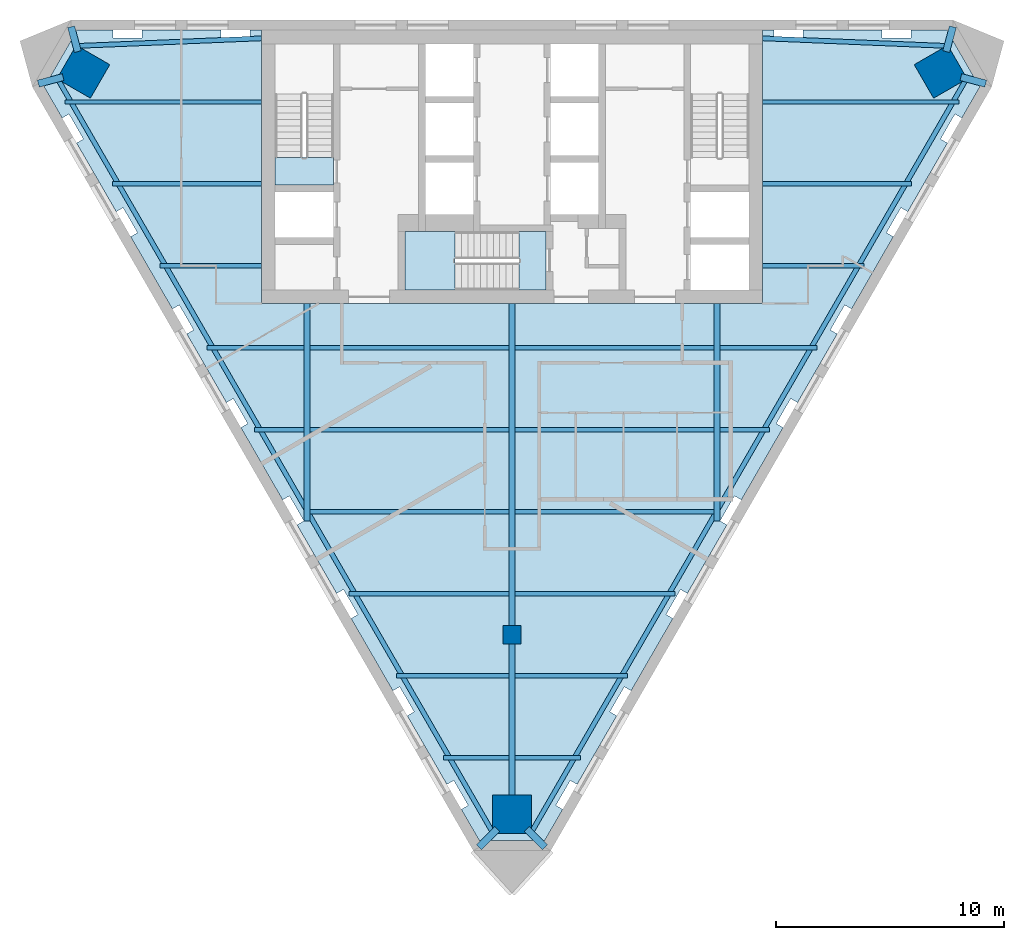
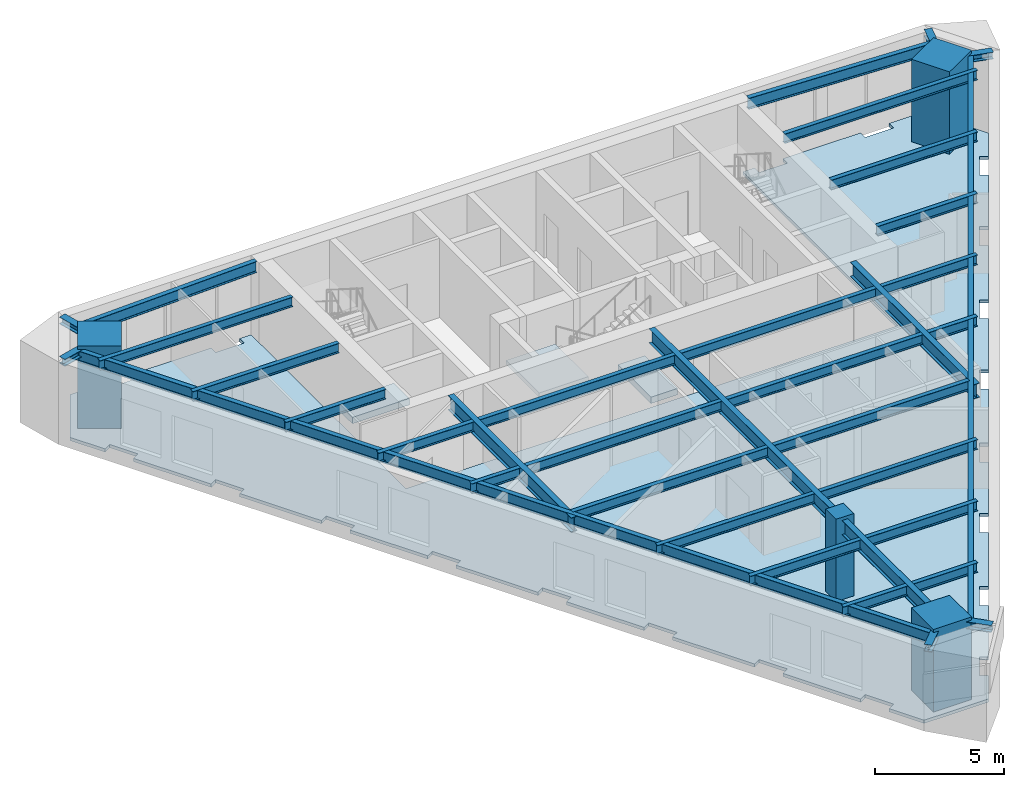
# One storey, part 1 of 7: 36 beams, 4 columns, 4 slabs, 1 element without a shape of its own.
"""IFC4 building model written with IfcOpenShell, lengths in metres."""

import ifcopenshell
import ifcopenshell.guid

model = None  # the IFC model being written
_history = None  # IfcOwnerHistory: only IFC2X3 demands one
_inside = {}  # id of a spatial element -> (the spatial element, [elements in it])
_under = {}  # id of a project, library or spatial element -> (it, [spatial elements below it])
_declared = {}  # id of a project -> (the project, [libraries it declares])
_typed = {}  # id of a type object -> (the type object, [elements of that type])
_made_of = {}  # id of a material, layer set ... -> (it, [elements and type objects made of it])


def new_model(schema):
    """Start an empty IFC model of exactly this schema.

    Asked for "IFC4X3", IfcOpenShell would pick the latest addendum, in which some entities
    have other attributes; the version numbers below select the first issue.
    IFC2X3 requires an IfcOwnerHistory on every rooted entity: one is made here for all.
    """
    global model, _history
    if schema == "IFC4X3":
        model = ifcopenshell.file(schema_version=(4, 3, 0, 0))
    else:
        model = ifcopenshell.file(schema=schema)
    _inside.clear()
    _under.clear()
    _declared.clear()
    _typed.clear()
    _made_of.clear()
    _history = None
    if model.schema == "IFC2X3":
        org = make("IfcOrganization", Name="unknown")
        user = make(
            "IfcPersonAndOrganization",
            ThePerson=make("IfcPerson", FamilyName="unknown"),
            TheOrganization=org,
        )
        app = make(
            "IfcApplication",
            ApplicationDeveloper=org,
            Version="unknown",
            ApplicationFullName="unknown",
            ApplicationIdentifier="unknown",
        )
        _history = make(
            "IfcOwnerHistory",
            OwningUser=user,
            OwningApplication=app,
            ChangeAction="ADDED",
            CreationDate=0,
        )
    return model


def make(cls, **values):
    """One entity of the class cls with the attributes given. An attribute that is None is left unset."""
    return model.create_entity(
        cls, **{name: value for name, value in values.items() if value is not None}
    )


def rooted(cls, **values):
    """An entity with a GlobalId (a new one), such as an element, a storey or a relation."""
    return make(cls, GlobalId=ifcopenshell.guid.new(), OwnerHistory=_history, **values)


def si_unit(unit_type, name, prefix=None):
    """IfcSIUnit, for example si_unit("LENGTHUNIT", "METRE", prefix="MILLI")."""
    return make("IfcSIUnit", UnitType=unit_type, Prefix=prefix, Name=name)


def assignment(units):
    """IfcUnitAssignment: the units of a project."""
    return None if units is None else make("IfcUnitAssignment", Units=units)


def point(xyz):
    """IfcCartesianPoint."""
    return None if xyz is None else make("IfcCartesianPoint", Coordinates=xyz)


def direction(xyz):
    """IfcDirection."""
    return None if xyz is None else make("IfcDirection", DirectionRatios=xyz)


def frame(location, z_axis=None, x_axis=None):
    """IfcAxis2Placement3D, a coordinate frame: its origin and axes. An axis left out is left unset."""
    return make(
        "IfcAxis2Placement3D",
        Location=point(location),
        Axis=direction(z_axis),
        RefDirection=direction(x_axis),
    )


def frame_2d(location, x_axis=None):
    """IfcAxis2Placement2D, a coordinate frame in the plane: its origin and x axis."""
    return make(
        "IfcAxis2Placement2D", Location=point(location), RefDirection=direction(x_axis)
    )


def origin():
    """The frame at (0, 0, 0) with its axes left unset."""
    return frame((0.0, 0.0, 0.0))


def origin_2d():
    """The frame at (0, 0) in the plane with its x axis left unset."""
    return frame_2d((0.0, 0.0))


def place(relative_to, where):
    """IfcLocalPlacement: puts the frame where relative to a parent placement (None: the world)."""
    return make(
        "IfcLocalPlacement", PlacementRelTo=relative_to, RelativePlacement=where
    )


def context(
    kind, dimensions, precision=None, world=None, true_north=None, identifier=None
):
    """IfcGeometricRepresentationContext, for example the 3D "Model" context."""
    return make(
        "IfcGeometricRepresentationContext",
        ContextIdentifier=identifier,
        ContextType=kind,
        CoordinateSpaceDimension=dimensions,
        Precision=precision,
        WorldCoordinateSystem=world,
        TrueNorth=true_north,
    )


def subcontext(parent, identifier, kind, view, scale=None):
    """IfcGeometricRepresentationSubContext, for example "Body" below "Model"."""
    return make(
        "IfcGeometricRepresentationSubContext",
        ContextIdentifier=identifier,
        ContextType=kind,
        ParentContext=parent,
        TargetScale=scale,
        TargetView=view,
    )


def project(units=None, contexts=None):
    """IfcProject with its units and contexts."""
    return rooted(
        "IfcProject",
        Name="project",
        RepresentationContexts=contexts,
        UnitsInContext=assignment(units),
    )


def spatial(cls, under=None, at=None, **own):
    """A site, building, storey or space (cls), placed at a placement, below another one or the project."""
    s = rooted(cls, ObjectPlacement=at, **own)
    if under is not None:
        _under.setdefault(under.id(), (under, []))[1].append(s)
    return s


def polyline(points):
    """IfcPolyline through the points."""
    return make("IfcPolyline", Points=[point(p) for p in points])


def profile(cls, at=None, kind="AREA", **sizes):
    """A parametric profile (cls). Its sizes go by their IFC names, for example OverallWidth=200.0."""
    return make(cls, ProfileType=kind, Position=at, **sizes)


def rectangle(**sizes):
    """IfcRectangleProfileDef."""
    return profile("IfcRectangleProfileDef", **sizes)


def i_section(**sizes):
    """IfcIShapeProfileDef."""
    return profile("IfcIShapeProfileDef", **sizes)


def outline(outer, holes=None, kind="AREA"):
    """IfcArbitraryClosedProfileDef: a profile drawn as a closed curve; with holes, ...WithVoids."""
    if holes is None:
        return make("IfcArbitraryClosedProfileDef", ProfileType=kind, OuterCurve=outer)
    return make(
        "IfcArbitraryProfileDefWithVoids",
        ProfileType=kind,
        OuterCurve=outer,
        InnerCurves=holes,
    )


def extrude(swept, where, along, depth):
    """IfcExtrudedAreaSolid: the profile swept, set in the frame where, extruded along a direction by depth."""
    return make(
        "IfcExtrudedAreaSolid",
        SweptArea=swept,
        Position=where,
        ExtrudedDirection=direction(along),
        Depth=depth,
    )


def shape(context_of_items, identifier, shape_type, items):
    """IfcShapeRepresentation: the items that make up one representation, for example the "Body"."""
    return make(
        "IfcShapeRepresentation",
        ContextOfItems=context_of_items,
        RepresentationIdentifier=identifier,
        RepresentationType=shape_type,
        Items=items,
    )


def material(Name=None, Category=None):
    """IfcMaterial."""
    return make("IfcMaterial", Name=Name, Category=Category)


def layer(
    of_material, thickness, ventilated=None, Name=None, Category=None, Priority=None
):
    """IfcMaterialLayer: one layer of a wall or slab, of a material (None: an air gap)."""
    return make(
        "IfcMaterialLayer",
        Material=of_material,
        LayerThickness=thickness,
        IsVentilated=ventilated,
        Name=Name,
        Category=Category,
        Priority=Priority,
    )


def layer_set(layers, Name=None):
    """IfcMaterialLayerSet."""
    return make("IfcMaterialLayerSet", MaterialLayers=layers, LayerSetName=Name)


def material_profile(
    of_material, cross_section, Name=None, Category=None, Priority=None
):
    """IfcMaterialProfile: a cross section and its material."""
    return make(
        "IfcMaterialProfile",
        Name=Name,
        Material=of_material,
        Profile=cross_section,
        Priority=Priority,
        Category=Category,
    )


def profile_set(profiles, Name=None, composite=None):
    """IfcMaterialProfileSet."""
    return make(
        "IfcMaterialProfileSet",
        Name=Name,
        MaterialProfiles=profiles,
        CompositeProfile=composite,
    )


def made_of(thing, what):
    """Note that an element or type object is made of a material, layer set ...; save() writes the relation."""
    if what is not None:
        _made_of.setdefault(what.id(), (what, []))[1].append(thing)
    return thing


def type_object(cls, material=None, **own):
    """A type object (cls), such as IfcWallType, which elements share."""
    return made_of(rooted(cls, **own), material)


def element(
    cls,
    number,
    at=None,
    inside=None,
    cuts=None,
    type_object=None,
    material=None,
    context=None,
    identifier="Body",
    shape_type=None,
    held_by="IfcProductDefinitionShape",
    body=None,
    shapes=None,
    **own,
):
    """One element of the class cls, such as IfcWall. Its Tag is "e" and its number.

    at: its placement. inside: the storey or other place that contains it. cuts: it is an
    opening in that element (IfcRelVoidsElement). A single representation is given by context,
    identifier, shape_type and body (its items); several are given by shapes. held_by: the class
    of the entity that holds the representations. save() writes the other relations.
    """
    e = rooted(cls, Tag="e%d" % number, ObjectPlacement=at, **own)
    if body is not None:
        shapes = [shape(context, identifier, shape_type, body)]
    if shapes is not None:
        e.Representation = make(held_by, Representations=shapes)
    if inside is not None:
        _inside.setdefault(inside.id(), (inside, []))[1].append(e)
    if cuts is not None:
        rooted(
            "IfcRelVoidsElement", RelatingBuildingElement=cuts, RelatedOpeningElement=e
        )
    if type_object is not None:
        _typed.setdefault(type_object.id(), (type_object, []))[1].append(e)
    return made_of(e, material)


def aggregate(whole, parts):
    """IfcRelAggregates: a whole, such as a stair, and the parts it consists of."""
    return rooted("IfcRelAggregates", RelatingObject=whole, RelatedObjects=parts)


def save(model, path):
    """Write the relations noted so far, then the file.

    IfcRelAggregates (storeys below a building ...), IfcRelContainedInSpatialStructure (elements
    in a storey), IfcRelDefinesByType, IfcRelAssociatesMaterial and IfcRelDeclares: one each for
    every whole, place, type object, material and project.
    """
    for whole, parts in _under.values():
        aggregate(whole, parts)
    for where, things in _inside.values():
        rooted(
            "IfcRelContainedInSpatialStructure",
            RelatedElements=things,
            RelatingStructure=where,
        )
    for kind, things in _typed.values():
        rooted("IfcRelDefinesByType", RelatedObjects=things, RelatingType=kind)
    for what, things in _made_of.values():
        rooted("IfcRelAssociatesMaterial", RelatedObjects=things, RelatingMaterial=what)
    for by, libraries in _declared.values():
        rooted("IfcRelDeclares", RelatingContext=by, RelatedDefinitions=libraries)
    model.write(path)


model = new_model("IFC4")

# Units and contexts
model_context = context("Model", 3, precision=1e-05, world=origin(), true_north=direction((0.0, 1.0)))
body_context = subcontext(model_context, "Body", "Model", "MODEL_VIEW")
ifc_project = project(units=[si_unit("LENGTHUNIT", "METRE"), si_unit("AREAUNIT", "SQUARE_METRE"), si_unit("VOLUMEUNIT", "CUBIC_METRE"), si_unit("PLANEANGLEUNIT", "RADIAN"), si_unit("MASSUNIT", "GRAM", prefix="KILO")], contexts=[model_context])

# Site, building, storey
site_placement = place(None, origin())
site = spatial("IfcSite", under=ifc_project, at=site_placement, CompositionType="ELEMENT")
building_placement = place(site_placement, origin())
building = spatial("IfcBuilding", under=site, at=building_placement, Name="Aloe Facet Convention Tower", CompositionType="ELEMENT")
storey_placement = place(building_placement, frame((0.0, 0.0, 207.5)))
storey = spatial("IfcBuildingStorey", under=building, at=storey_placement, Name="L52", CompositionType="ELEMENT", Elevation=207.5)

# Columns
ifc_material_1 = material(Name="Concrete C70/85", Category="concrete")
ifc_material_profile_1 = material_profile(ifc_material_1, rectangle(XDim=0.800048828125, YDim=0.800048828125, at=origin_2d()), Name="SF-GC-Z4")
ifc_profile_set_1 = profile_set([ifc_material_profile_1], Name="Concrete C70/85")
column_type_1 = type_object("IfcColumnType", Name="SF-GC-Z4", PredefinedType="COLUMN", material=ifc_profile_set_1)
column_placement = place(storey_placement, frame((80.0, 108.0, 0.0), z_axis=(0.0, 0.0, 1.0), x_axis=(1.0, 0.0, 0.0)))
element("IfcColumn", 1, at=column_placement, inside=storey, type_object=column_type_1, Name="Gravity column GC-Z4-9D", PredefinedType="COLUMN", context=body_context, shape_type="SweptSolid", body=[
    extrude(rectangle(XDim=0.800048828125, YDim=0.800048828125, at=origin_2d()), origin(), (0.0, 0.0, 1.0), 3.89990234375),
])
ifc_material_2 = material(Name="Concrete C80/95", Category="concrete")
ifc_material_profile_2 = material_profile(ifc_material_2, rectangle(XDim=1.699951171875, YDim=1.699951171875, at=origin_2d()), Name="STW-MC-Z4")
ifc_profile_set_2 = profile_set([ifc_material_profile_2], Name="Concrete C80/95")
column_type_2 = type_object("IfcColumnType", Name="STW-MC-Z4", PredefinedType="COLUMN", material=ifc_profile_set_2)
for number, where, z_axis, x_axis, name in (
    (2, (98.828857421875, 132.727783203125, 0.0), (0.0, 0.0, 1.0), (-0.5, 0.866025403784, 0.0), "Mega-column MC-NE-L52"),
    (3, (61.171142578125, 132.727783203125, 0.0), (0.0, 0.0, 1.0), (-0.5, -0.866025403784, 0.0), "Mega-column MC-NW-L52"),
    (4, (80.0, 100.114990234375, 0.0), (0.0, 0.0, 1.0), (1.0, 0.0, 0.0), "Mega-column MC-S-L52"),
):
    element("IfcColumn", number, at=place(storey_placement, frame(where, z_axis=z_axis, x_axis=x_axis)), inside=storey, type_object=column_type_2, Name=name, PredefinedType="COLUMN", context=body_context, shape_type="SweptSolid", body=[
        extrude(rectangle(XDim=1.699951171875, YDim=1.699951171875, at=origin_2d()), origin(), (0.0, 0.0, 1.0), 3.89990234375),
    ])

# Beams
ifc_material_3 = material(Name="Steel S355", Category="steel")
ifc_material_profile_3 = material_profile(ifc_material_3, i_section(OverallWidth=0.19140625, OverallDepth=0.4599609375, WebThickness=0.010009765625, FlangeThickness=0.01611328125, FilletRadius=0.01025390625, at=origin_2d()), Name="UB 457x191x82")
ifc_profile_set_3 = profile_set([ifc_material_profile_3], Name="Steel S355")
beam_type_1 = type_object("IfcBeamType", Name="SF-B-UB457x191x82", PredefinedType="BEAM", material=ifc_profile_set_3)
beam_1_placement = place(storey_placement, frame((60.373779296875, 131.39990234375, 3.52001953125), z_axis=(1.0, 0.0, 0.0), x_axis=(0.0, 1.0, 0.0)))
element("IfcBeam", 5, at=beam_1_placement, inside=storey, type_object=beam_type_1, Name="Floor beam FB-Z4B-009", PredefinedType="BEAM", context=body_context, shape_type="SweptSolid", body=[
    extrude(i_section(OverallWidth=0.19140625, OverallDepth=0.4599609375, WebThickness=0.010009765625, FlangeThickness=0.01611328125, FilletRadius=0.01025390625, at=origin_2d()), origin(), (0.0, 0.0, 1.0), 8.626220703125),
])
beam_2_placement = place(storey_placement, frame((62.452392578125, 127.800048828125, 3.52001953125), z_axis=(1.0, 0.0, 0.0), x_axis=(0.0, 1.0, 0.0)))
element("IfcBeam", 6, at=beam_2_placement, inside=storey, type_object=beam_type_1, Name="Floor beam FB-Z4B-010", PredefinedType="BEAM", context=body_context, shape_type="SweptSolid", body=[
    extrude(i_section(OverallWidth=0.19140625, OverallDepth=0.4599609375, WebThickness=0.010009765625, FlangeThickness=0.01611328125, FilletRadius=0.01025390625, at=origin_2d()), origin(), (0.0, 0.0, 1.0), 6.547607421875),
])
beam_3_placement = place(storey_placement, frame((64.53076171875, 124.199951171875, 3.52001953125), z_axis=(1.0, 0.0, 0.0), x_axis=(0.0, 1.0, 0.0)))
element("IfcBeam", 7, at=beam_3_placement, inside=storey, type_object=beam_type_1, Name="Floor beam FB-Z4B-011", PredefinedType="BEAM", context=body_context, shape_type="SweptSolid", body=[
    extrude(i_section(OverallWidth=0.19140625, OverallDepth=0.4599609375, WebThickness=0.010009765625, FlangeThickness=0.01611328125, FilletRadius=0.01025390625, at=origin_2d()), origin(), (0.0, 0.0, 1.0), 4.46923828125),
])
beam_4_placement = place(storey_placement, frame((66.609130859375, 120.60009765625, 3.52001953125), z_axis=(1.0, 0.0, 0.0), x_axis=(0.0, 1.0, 0.0)))
element("IfcBeam", 8, at=beam_4_placement, inside=storey, type_object=beam_type_1, Name="Floor beam FB-Z4B-012", PredefinedType="BEAM", context=body_context, shape_type="SweptSolid", body=[
    extrude(i_section(OverallWidth=0.19140625, OverallDepth=0.4599609375, WebThickness=0.010009765625, FlangeThickness=0.01611328125, FilletRadius=0.01025390625, at=origin_2d()), origin(), (0.0, 0.0, 1.0), 4.264404296875),
])
beam_5_placement = place(storey_placement, frame((68.687744140625, 117.0, 3.52001953125), z_axis=(1.0, 0.0, 0.0), x_axis=(0.0, 1.0, 0.0)))
element("IfcBeam", 9, at=beam_5_placement, inside=storey, type_object=beam_type_1, Name="Floor beam FB-Z4B-013", PredefinedType="BEAM", context=body_context, shape_type="SweptSolid", body=[
    extrude(i_section(OverallWidth=0.19140625, OverallDepth=0.4599609375, WebThickness=0.010009765625, FlangeThickness=0.01611328125, FilletRadius=0.01025390625, at=origin_2d()), origin(), (0.0, 0.0, 1.0), 2.185791015625),
])
for number, where, z_axis, x_axis, name in (
    (10, (71.12646484375, 113.39990234375, 3.52001953125), (1.0, 0.0, 0.0), (0.0, 1.0, 0.0), "Floor beam FB-Z4B-014"),
    (11, (71.12646484375, 117.0, 3.52001953125), (1.0, 0.0, 0.0), (0.0, 1.0, 0.0), "Floor beam FB-Z4B-015"),
    (12, (71.12646484375, 120.60009765625, 3.52001953125), (1.0, 0.0, 0.0), (0.0, 1.0, 0.0), "Floor beam FB-Z4B-016"),
):
    element("IfcBeam", number, at=place(storey_placement, frame(where, z_axis=z_axis, x_axis=x_axis)), inside=storey, type_object=beam_type_1, Name=name, PredefinedType="BEAM", context=body_context, shape_type="SweptSolid", body=[
        extrude(i_section(OverallWidth=0.19140625, OverallDepth=0.4599609375, WebThickness=0.010009765625, FlangeThickness=0.01611328125, FilletRadius=0.01025390625, at=origin_2d()), origin(), (0.0, 0.0, 1.0), 8.7470703125),
    ])
beam_6_placement = place(storey_placement, frame((72.844482421875, 109.800048828125, 3.52001953125), z_axis=(1.0, 0.0, 0.0), x_axis=(0.0, 1.0, 0.0)))
element("IfcBeam", 13, at=beam_6_placement, inside=storey, type_object=beam_type_1, Name="Floor beam FB-Z4B-017", PredefinedType="BEAM", context=body_context, shape_type="SweptSolid", body=[
    extrude(i_section(OverallWidth=0.19140625, OverallDepth=0.4599609375, WebThickness=0.010009765625, FlangeThickness=0.01611328125, FilletRadius=0.01025390625, at=origin_2d()), origin(), (0.0, 0.0, 1.0), 7.029052734375),
])
beam_7_placement = place(storey_placement, frame((74.923095703125, 106.199951171875, 3.52001953125), z_axis=(1.0, 0.0, 0.0), x_axis=(0.0, 1.0, 0.0)))
element("IfcBeam", 14, at=beam_7_placement, inside=storey, type_object=beam_type_1, Name="Floor beam FB-Z4B-018", PredefinedType="BEAM", context=body_context, shape_type="SweptSolid", body=[
    extrude(i_section(OverallWidth=0.19140625, OverallDepth=0.4599609375, WebThickness=0.010009765625, FlangeThickness=0.01611328125, FilletRadius=0.01025390625, at=origin_2d()), origin(), (0.0, 0.0, 1.0), 4.950439453125),
])
for number, where, z_axis, x_axis, name in (
    (15, (77.00146484375, 102.60009765625, 3.52001953125), (1.0, 0.0, 0.0), (0.0, 1.0, 0.0), "Floor beam FB-Z4B-019"),
    (16, (80.12646484375, 102.60009765625, 3.52001953125), (1.0, 0.0, 0.0), (0.0, 1.0, 0.0), "Floor beam FB-Z4B-020"),
):
    element("IfcBeam", number, at=place(storey_placement, frame(where, z_axis=z_axis, x_axis=x_axis)), inside=storey, type_object=beam_type_1, Name=name, PredefinedType="BEAM", context=body_context, shape_type="SweptSolid", body=[
        extrude(i_section(OverallWidth=0.19140625, OverallDepth=0.4599609375, WebThickness=0.010009765625, FlangeThickness=0.01611328125, FilletRadius=0.01025390625, at=origin_2d()), origin(), (0.0, 0.0, 1.0), 2.8720703125),
    ])
beam_8_placement = place(storey_placement, frame((80.12646484375, 106.199951171875, 3.52001953125), z_axis=(1.0, 0.0, 0.0), x_axis=(0.0, 1.0, 0.0)))
element("IfcBeam", 17, at=beam_8_placement, inside=storey, type_object=beam_type_1, Name="Floor beam FB-Z4B-021", PredefinedType="BEAM", context=body_context, shape_type="SweptSolid", body=[
    extrude(i_section(OverallWidth=0.19140625, OverallDepth=0.4599609375, WebThickness=0.010009765625, FlangeThickness=0.01611328125, FilletRadius=0.01025390625, at=origin_2d()), origin(), (0.0, 0.0, 1.0), 4.950439453125),
])
beam_9_placement = place(storey_placement, frame((80.12646484375, 109.800048828125, 3.52001953125), z_axis=(1.0, 0.0, 0.0), x_axis=(0.0, 1.0, 0.0)))
element("IfcBeam", 18, at=beam_9_placement, inside=storey, type_object=beam_type_1, Name="Floor beam FB-Z4B-022", PredefinedType="BEAM", context=body_context, shape_type="SweptSolid", body=[
    extrude(i_section(OverallWidth=0.19140625, OverallDepth=0.4599609375, WebThickness=0.010009765625, FlangeThickness=0.01611328125, FilletRadius=0.01025390625, at=origin_2d()), origin(), (0.0, 0.0, 1.0), 7.029052734375),
])
for number, where, z_axis, x_axis, name in (
    (19, (80.12646484375, 113.39990234375, 3.52001953125), (1.0, 0.0, 0.0), (0.0, 1.0, 0.0), "Floor beam FB-Z4B-023"),
    (20, (80.12646484375, 117.0, 3.52001953125), (1.0, 0.0, 0.0), (0.0, 1.0, 0.0), "Floor beam FB-Z4B-024"),
    (21, (80.12646484375, 120.60009765625, 3.52001953125), (1.0, 0.0, 0.0), (0.0, 1.0, 0.0), "Floor beam FB-Z4B-025"),
):
    element("IfcBeam", number, at=place(storey_placement, frame(where, z_axis=z_axis, x_axis=x_axis)), inside=storey, type_object=beam_type_1, Name=name, PredefinedType="BEAM", context=body_context, shape_type="SweptSolid", body=[
        extrude(i_section(OverallWidth=0.19140625, OverallDepth=0.4599609375, WebThickness=0.010009765625, FlangeThickness=0.01611328125, FilletRadius=0.01025390625, at=origin_2d()), origin(), (0.0, 0.0, 1.0), 8.7470703125),
    ])
beam_10_placement = place(storey_placement, frame((89.12646484375, 117.0, 3.52001953125), z_axis=(1.0, 0.0, 0.0), x_axis=(0.0, 1.0, 0.0)))
element("IfcBeam", 22, at=beam_10_placement, inside=storey, type_object=beam_type_1, Name="Floor beam FB-Z4B-026", PredefinedType="BEAM", context=body_context, shape_type="SweptSolid", body=[
    extrude(i_section(OverallWidth=0.19140625, OverallDepth=0.4599609375, WebThickness=0.010009765625, FlangeThickness=0.01611328125, FilletRadius=0.01025390625, at=origin_2d()), origin(), (0.0, 0.0, 1.0), 2.185791015625),
])
beam_11_placement = place(storey_placement, frame((89.12646484375, 120.60009765625, 3.52001953125), z_axis=(1.0, 0.0, 0.0), x_axis=(0.0, 1.0, 0.0)))
element("IfcBeam", 23, at=beam_11_placement, inside=storey, type_object=beam_type_1, Name="Floor beam FB-Z4B-027", PredefinedType="BEAM", context=body_context, shape_type="SweptSolid", body=[
    extrude(i_section(OverallWidth=0.19140625, OverallDepth=0.4599609375, WebThickness=0.010009765625, FlangeThickness=0.01611328125, FilletRadius=0.01025390625, at=origin_2d()), origin(), (0.0, 0.0, 1.0), 4.264404296875),
])
beam_12_placement = place(storey_placement, frame((91.0, 124.199951171875, 3.52001953125), z_axis=(1.0, 0.0, 0.0), x_axis=(0.0, 1.0, 0.0)))
element("IfcBeam", 24, at=beam_12_placement, inside=storey, type_object=beam_type_1, Name="Floor beam FB-Z4B-028", PredefinedType="BEAM", context=body_context, shape_type="SweptSolid", body=[
    extrude(i_section(OverallWidth=0.19140625, OverallDepth=0.4599609375, WebThickness=0.010009765625, FlangeThickness=0.01611328125, FilletRadius=0.01025390625, at=origin_2d()), origin(), (0.0, 0.0, 1.0), 4.46923828125),
])
beam_13_placement = place(storey_placement, frame((91.0, 127.800048828125, 3.52001953125), z_axis=(1.0, 0.0, 0.0), x_axis=(0.0, 1.0, 0.0)))
element("IfcBeam", 25, at=beam_13_placement, inside=storey, type_object=beam_type_1, Name="Floor beam FB-Z4B-029", PredefinedType="BEAM", context=body_context, shape_type="SweptSolid", body=[
    extrude(i_section(OverallWidth=0.19140625, OverallDepth=0.4599609375, WebThickness=0.010009765625, FlangeThickness=0.01611328125, FilletRadius=0.01025390625, at=origin_2d()), origin(), (0.0, 0.0, 1.0), 6.547607421875),
])
beam_14_placement = place(storey_placement, frame((91.0, 131.39990234375, 3.52001953125), z_axis=(1.0, 0.0, 0.0), x_axis=(0.0, 1.0, 0.0)))
element("IfcBeam", 26, at=beam_14_placement, inside=storey, type_object=beam_type_1, Name="Floor beam FB-Z4B-030", PredefinedType="BEAM", context=body_context, shape_type="SweptSolid", body=[
    extrude(i_section(OverallWidth=0.19140625, OverallDepth=0.4599609375, WebThickness=0.010009765625, FlangeThickness=0.01611328125, FilletRadius=0.01025390625, at=origin_2d()), origin(), (0.0, 0.0, 1.0), 8.626220703125),
])
ifc_material_4 = material(Name="Steel S355", Category="steel")
ifc_material_profile_4 = material_profile(ifc_material_4, i_section(OverallWidth=0.209228515625, OverallDepth=0.533203125, WebThickness=0.010009765625, FlangeThickness=0.015625, FilletRadius=0.0126953125, at=origin_2d()), Name="UB 533x210x92")
ifc_profile_set_4 = profile_set([ifc_material_profile_4], Name="Steel S355")
beam_type_2 = type_object("IfcBeamType", Name="SF-B-UB533x210x92", PredefinedType="BEAM", material=ifc_profile_set_4)
beam_15_placement = place(storey_placement, frame((60.9072265625, 133.861572265625, 3.4833984375), z_axis=(0.999150743543, 0.041204267721, 0.0), x_axis=(-0.041204267721, 0.999150743543, 0.0)))
element("IfcBeam", 27, at=beam_15_placement, inside=storey, type_object=beam_type_2, Name="Floor beam FB-Z4B-001", PredefinedType="BEAM", context=body_context, shape_type="SweptSolid", body=[
    extrude(i_section(OverallWidth=0.209228515625, OverallDepth=0.533203125, WebThickness=0.010009765625, FlangeThickness=0.015625, FilletRadius=0.0126953125, at=origin_2d()), origin(), (0.0, 0.0, 1.0), 8.099609375),
])
beam_16_placement = place(storey_placement, frame((79.14990234375, 99.319580078125, 3.4833984375), z_axis=(-0.499998065821, 0.866026520481, 0.0), x_axis=(-0.866026520481, -0.499998065821, 0.0)))
element("IfcBeam", 28, at=beam_16_placement, inside=storey, type_object=beam_type_2, Name="Floor beam FB-Z4B-002", PredefinedType="BEAM", context=body_context, shape_type="SweptSolid", body=[
    extrude(i_section(OverallWidth=0.209228515625, OverallDepth=0.533203125, WebThickness=0.010009765625, FlangeThickness=0.015625, FilletRadius=0.0126953125, at=origin_2d()), origin(), (0.0, 0.0, 1.0), 38.185791015625),
])
beam_17_placement = place(storey_placement, frame((91.0, 134.1953125, 3.4833984375), z_axis=(0.999150743543, -0.041204267721, 0.0), x_axis=(0.041204267721, 0.999150743543, 0.0)))
element("IfcBeam", 29, at=beam_17_placement, inside=storey, type_object=beam_type_2, Name="Floor beam FB-Z4B-003", PredefinedType="BEAM", context=body_context, shape_type="SweptSolid", body=[
    extrude(i_section(OverallWidth=0.209228515625, OverallDepth=0.533203125, WebThickness=0.010009765625, FlangeThickness=0.015625, FilletRadius=0.0126953125, at=origin_2d()), origin(), (0.0, 0.0, 1.0), 8.099609375),
])
beam_18_placement = place(storey_placement, frame((99.94287109375, 132.389404296875, 3.4833984375), z_axis=(-0.499998065821, -0.866026520481, 0.0), x_axis=(0.866026520481, -0.499998065821, 0.0)))
element("IfcBeam", 30, at=beam_18_placement, inside=storey, type_object=beam_type_2, Name="Floor beam FB-Z4B-004", PredefinedType="BEAM", context=body_context, shape_type="SweptSolid", body=[
    extrude(i_section(OverallWidth=0.209228515625, OverallDepth=0.533203125, WebThickness=0.010009765625, FlangeThickness=0.015625, FilletRadius=0.0126953125, at=origin_2d()), origin(), (0.0, 0.0, 1.0), 38.185791015625),
])
ifc_material_5 = material(Name="Steel S355", Category="steel")
ifc_material_profile_5 = material_profile(ifc_material_5, i_section(OverallWidth=0.2529296875, OverallDepth=0.677978515625, WebThickness=0.01171875, FlangeThickness=0.01611328125, FilletRadius=0.01513671875, at=origin_2d()), Name="UB 686x254x125")
ifc_profile_set_5 = profile_set([ifc_material_profile_5], Name="Steel S355")
beam_type_3 = type_object("IfcBeamType", Name="SF-B-UB686x254x125", PredefinedType="BEAM", material=ifc_profile_set_5)
beam_19_placement = place(storey_placement, frame((71.0, 122.550048828125, 3.410888671875), z_axis=(0.0, -1.0, 0.0), x_axis=(1.0, 0.0, 0.0)))
element("IfcBeam", 31, at=beam_19_placement, inside=storey, type_object=beam_type_3, Name="Floor beam FB-Z4B-005", PredefinedType="BEAM", context=body_context, shape_type="SweptSolid", body=[
    extrude(i_section(OverallWidth=0.2529296875, OverallDepth=0.677978515625, WebThickness=0.01171875, FlangeThickness=0.01611328125, FilletRadius=0.01513671875, at=origin_2d()), origin(), (0.0, 0.0, 1.0), 9.5625),
])
beam_20_placement = place(storey_placement, frame((80.0, 107.60009765625, 3.410888671875), z_axis=(0.0, -1.0, 0.0), x_axis=(1.0, 0.0, 0.0)))
element("IfcBeam", 32, at=beam_20_placement, inside=storey, type_object=beam_type_3, Name="Floor beam FB-Z4B-006", PredefinedType="BEAM", context=body_context, shape_type="SweptSolid", body=[
    extrude(i_section(OverallWidth=0.2529296875, OverallDepth=0.677978515625, WebThickness=0.01171875, FlangeThickness=0.01611328125, FilletRadius=0.01513671875, at=origin_2d()), origin(), (0.0, 0.0, 1.0), 8.165771484375),
])
beam_21_placement = place(storey_placement, frame((80.0, 122.550048828125, 3.410888671875), z_axis=(0.0, -1.0, 0.0), x_axis=(1.0, 0.0, 0.0)))
element("IfcBeam", 33, at=beam_21_placement, inside=storey, type_object=beam_type_3, Name="Floor beam FB-Z4B-007", PredefinedType="BEAM", context=body_context, shape_type="SweptSolid", body=[
    extrude(i_section(OverallWidth=0.2529296875, OverallDepth=0.677978515625, WebThickness=0.01171875, FlangeThickness=0.01611328125, FilletRadius=0.01513671875, at=origin_2d()), origin(), (0.0, 0.0, 1.0), 14.150146484375),
])
beam_22_placement = place(storey_placement, frame((89.0, 122.550048828125, 3.410888671875), z_axis=(0.0, -1.0, 0.0), x_axis=(1.0, 0.0, 0.0)))
element("IfcBeam", 34, at=beam_22_placement, inside=storey, type_object=beam_type_3, Name="Floor beam FB-Z4B-008", PredefinedType="BEAM", context=body_context, shape_type="SweptSolid", body=[
    extrude(i_section(OverallWidth=0.2529296875, OverallDepth=0.677978515625, WebThickness=0.01171875, FlangeThickness=0.01611328125, FilletRadius=0.01513671875, at=origin_2d()), origin(), (0.0, 0.0, 1.0), 9.5625),
])
ifc_material_6 = material(Name="Steel S355", Category="steel")
ifc_material_profile_6 = material_profile(ifc_material_6, i_section(OverallWidth=0.311279296875, OverallDepth=0.3271484375, WebThickness=0.015869140625, FlangeThickness=0.02490234375, FilletRadius=0.01513671875, at=origin_2d()), Name="UC 305x305x158")
ifc_profile_set_6 = profile_set([ifc_material_profile_6], Name="Steel S355")
beam_type_4 = type_object("IfcBeamType", Name="STW-NT", PredefinedType="BEAM", material=ifc_profile_set_6)
for number, where, z_axis, x_axis, name in (
    (35, (99.364501953125, 134.699951171875, 3.58642578125), (-0.261999608535, -0.965067979537, 0.0), (0.965067979537, -0.261999608535, 0.0), "Lattice tie NT-Z4-F1-R4-01"),
    (36, (60.635498046875, 134.699951171875, 3.58642578125), (0.261999608535, -0.965067979537, 0.0), (0.965067979537, 0.261999608535, 0.0), "Lattice tie NT-Z4-F1-R4-05"),
    (37, (59.1953125, 132.20556640625, 3.58642578125), (0.966807551586, 0.255505691125, 0.0), (-0.255505691125, 0.966807551586, 0.0), "Lattice tie NT-Z4-F2-R4-01"),
):
    element("IfcBeam", number, at=place(storey_placement, frame(where, z_axis=z_axis, x_axis=x_axis)), inside=storey, type_object=beam_type_4, Name=name, PredefinedType="BEAM", context=body_context, shape_type="SweptSolid", body=[
        extrude(i_section(OverallWidth=0.311279296875, OverallDepth=0.3271484375, WebThickness=0.015869140625, FlangeThickness=0.02490234375, FilletRadius=0.01513671875, at=origin_2d()), origin(), (0.0, 0.0, 1.0), 1.12744140625),
    ])
for number, where, z_axis, x_axis, name in (
    (38, (78.559814453125, 98.6650390625, 3.58642578125), (0.704721224253, 0.709484317013, 0.0), (-0.709484317013, 0.704721224253, 0.0), "Lattice tie NT-Z4-F2-R4-05"),
    (39, (81.440185546875, 98.6650390625, 3.58642578125), (-0.704721224253, 0.709484317013, 0.0), (-0.709484317013, -0.704721224253, 0.0), "Lattice tie NT-Z4-F3-R4-01"),
):
    element("IfcBeam", number, at=place(storey_placement, frame(where, z_axis=z_axis, x_axis=x_axis)), inside=storey, type_object=beam_type_4, Name=name, PredefinedType="BEAM", context=body_context, shape_type="SweptSolid", body=[
        extrude(i_section(OverallWidth=0.311279296875, OverallDepth=0.3271484375, WebThickness=0.015869140625, FlangeThickness=0.02490234375, FilletRadius=0.01513671875, at=origin_2d()), origin(), (0.0, 0.0, 1.0), 1.127685546875),
    ])
beam_23_placement = place(storey_placement, frame((100.8046875, 132.20556640625, 3.58642578125), z_axis=(-0.966807551586, 0.255505691125, 0.0), x_axis=(-0.255505691125, -0.966807551586, 0.0)))
element("IfcBeam", 40, at=beam_23_placement, inside=storey, type_object=beam_type_4, Name="Lattice tie NT-Z4-F3-R4-05", PredefinedType="BEAM", context=body_context, shape_type="SweptSolid", body=[
    extrude(i_section(OverallWidth=0.311279296875, OverallDepth=0.3271484375, WebThickness=0.015869140625, FlangeThickness=0.02490234375, FilletRadius=0.01513671875, at=origin_2d()), origin(), (0.0, 0.0, 1.0), 1.12744140625),
])

# Slabs
ifc_material_7 = material(Name="Concrete C50/60", Category="concrete")
ifc_layer_1 = layer(ifc_material_7, 0.300048828125)
ifc_layer_set_1 = layer_set([ifc_layer_1], Name="CR-S-FLOOR300-C5060")
slab_type_1 = type_object("IfcSlabType", Name="CR-S-FLOOR300-C5060", PredefinedType="FLOOR", material=ifc_layer_set_1)
slab_1_placement = place(storey_placement, frame((0.0, 0.0, -0.300048828125)))
element("IfcSlab", 41, at=slab_1_placement, inside=storey, type_object=slab_type_1, Name="Stair landing floor L52", PredefinedType="FLOOR", context=body_context, shape_type="SweptSolid", body=[
    extrude(outline(polyline([(72.14990234375, 127.75), (72.14990234375, 128.951171875), (69.60009765625, 128.951171875), (69.60009765625, 127.75), (72.14990234375, 127.75)])), origin(), (0.0, 0.0, 1.0), 0.300048828125),
])
slab_2_placement = place(storey_placement, frame((0.0, 0.0, -0.300048828125)))
element("IfcSlab", 42, at=slab_2_placement, inside=storey, type_object=slab_type_1, Name="Stair landing floor L52", PredefinedType="FLOOR", context=body_context, shape_type="SweptSolid", body=[
    extrude(outline(polyline([(81.5, 125.699951171875), (80.298828125, 125.699951171875), (80.298828125, 123.14990234375), (81.5, 123.14990234375), (81.5, 125.699951171875)])), origin(), (0.0, 0.0, 1.0), 0.300048828125),
])

# Stair, slab
ifc_material_8 = material(Name="Concrete C50/60", Category="concrete")
stair_type = type_object("IfcStairType", Name="CR-ST-22R", PredefinedType="HALF_TURN_STAIR", material=ifc_material_8)
stair_placement = place(storey_placement, origin())
stair = element("IfcStair", 43, at=stair_placement, inside=storey, type_object=stair_type, Name="L52 Protected exit stair ST3", PredefinedType="HALF_TURN_STAIR")
ifc_material_9 = material(Name="Concrete C50/60", Category="concrete")
ifc_layer_2 = layer(ifc_material_9, 0.199951171875)
ifc_layer_set_2 = layer_set([ifc_layer_2], Name="CR-SL-LANDING")
slab_type_2 = type_object("IfcSlabType", Name="CR-SL-LANDING", PredefinedType="LANDING", material=ifc_layer_set_2)
slab_3_placement = place(storey_placement, frame((0.0, 0.0, 1.75)))
slab_3 = element("IfcSlab", 44, at=slab_3_placement, type_object=slab_type_2, Name="ST3 landing 1", PredefinedType="LANDING", context=body_context, shape_type="SweptSolid", body=[
    extrude(outline(polyline([(77.5, 125.699951171875), (75.300048828125, 125.699951171875), (75.300048828125, 123.14990234375), (77.5, 123.14990234375), (77.5, 125.699951171875)])), origin(), (0.0, 0.0, 1.0), 0.199951171875),
])
aggregate(stair, [slab_3])

# Slab
ifc_material_10 = material(Name="Concrete C35/45", Category="concrete")
ifc_layer_3 = layer(ifc_material_10, 0.14990234375)
ifc_layer_set_3 = layer_set([ifc_layer_3], Name="SF-FS-150")
slab_type_3 = type_object("IfcSlabType", Name="SF-FS-150", PredefinedType="FLOOR", material=ifc_layer_set_3)
slab_4_placement = place(storey_placement, frame((0.0, 0.0, -0.14990234375)))
element("IfcSlab", 45, at=slab_4_placement, inside=storey, type_object=slab_type_3, Name="Floor slab L52-1", PredefinedType="FLOOR", context=body_context, shape_type="SweptSolid", body=[
    extrude(outline(polyline([(100.544921875, 132.055419921875), (99.7587890625, 130.69384765625), (99.455810546875, 130.868896484375), (98.82080078125, 129.76904296875), (99.123779296875, 129.593994140625), (97.384765625, 126.581787109375), (97.081787109375, 126.7568359375), (96.44677734375, 125.656982421875), (96.749755859375, 125.48193359375), (94.917724609375, 122.30859375), (94.614501953125, 122.483642578125), (93.9794921875, 121.3837890625), (94.28271484375, 121.208740234375), (92.543701171875, 118.19677734375), (92.240478515625, 118.371826171875), (91.60546875, 117.27197265625), (91.90869140625, 117.096923828125), (90.076416015625, 113.923583984375), (89.7734375, 114.0986328125), (89.138427734375, 112.998779296875), (89.44140625, 112.82373046875), (87.702392578125, 109.811767578125), (87.3994140625, 109.98681640625), (86.764404296875, 108.88671875), (87.0673828125, 108.7119140625), (85.2353515625, 105.53857421875), (84.932373046875, 105.71337890625), (84.29736328125, 104.613525390625), (84.600341796875, 104.438720703125), (82.861328125, 101.426513671875), (82.558349609375, 101.6015625), (81.923095703125, 100.501708984375), (82.226318359375, 100.32666015625), (81.440185546875, 98.965087890625), (78.559814453125, 98.965087890625), (77.773681640625, 100.32666015625), (78.076904296875, 100.501708984375), (77.441650390625, 101.6015625), (77.138671875, 101.426513671875), (75.399658203125, 104.438720703125), (75.70263671875, 104.613525390625), (75.067626953125, 105.71337890625), (74.7646484375, 105.53857421875), (72.9326171875, 108.7119140625), (73.235595703125, 108.88671875), (72.6005859375, 109.98681640625), (72.297607421875, 109.811767578125), (70.55859375, 112.82373046875), (70.861572265625, 112.998779296875), (70.2265625, 114.0986328125), (69.923583984375, 113.923583984375), (68.09130859375, 117.096923828125), (68.39453125, 117.27197265625), (67.759521484375, 118.371826171875), (67.456298828125, 118.19677734375), (65.71728515625, 121.208740234375), (66.0205078125, 121.3837890625), (65.385498046875, 122.483642578125), (65.082275390625, 122.30859375), (63.250244140625, 125.48193359375), (63.55322265625, 125.656982421875), (62.918212890625, 126.7568359375), (62.615234375, 126.581787109375), (60.876220703125, 129.593994140625), (61.17919921875, 129.76904296875), (60.544189453125, 130.868896484375), (60.2412109375, 130.69384765625), (59.455078125, 132.055419921875), (60.895263671875, 134.550048828125), (62.467529296875, 134.550048828125), (62.467529296875, 134.199951171875), (63.737548828125, 134.199951171875), (63.737548828125, 134.550048828125), (67.215576171875, 134.550048828125), (67.215576171875, 134.199951171875), (68.485595703125, 134.199951171875), (68.485595703125, 134.550048828125), (69.0, 134.550048828125), (69.0, 128.050048828125), (69.0, 127.14990234375), (69.0, 125.75), (69.0, 124.85009765625), (69.0, 122.550048828125), (71.85009765625, 122.550048828125), (72.75, 122.550048828125), (74.699951171875, 122.550048828125), (75.60009765625, 122.550048828125), (81.199951171875, 122.550048828125), (82.10009765625, 122.550048828125), (84.39990234375, 122.550048828125), (85.300048828125, 122.550048828125), (87.25, 122.550048828125), (88.14990234375, 122.550048828125), (91.0, 122.550048828125), (91.0, 124.85009765625), (91.0, 125.75), (91.0, 127.14990234375), (91.0, 128.050048828125), (91.0, 134.550048828125), (91.514404296875, 134.550048828125), (91.514404296875, 134.199951171875), (92.784423828125, 134.199951171875), (92.784423828125, 134.550048828125), (96.262451171875, 134.550048828125), (96.262451171875, 134.199951171875), (97.532470703125, 134.199951171875), (97.532470703125, 134.550048828125), (99.104736328125, 134.550048828125), (100.544921875, 132.055419921875)]), holes=[polyline([(80.85009765625, 99.264892578125), (80.85009765625, 100.965087890625), (79.14990234375, 100.965087890625), (79.14990234375, 99.264892578125), (80.85009765625, 99.264892578125)]), polyline([(60.85986328125, 133.888916015625), (60.010009765625, 132.41650390625), (61.482177734375, 131.566650390625), (62.33203125, 133.038818359375), (60.85986328125, 133.888916015625)]), polyline([(80.39990234375, 107.60009765625), (80.39990234375, 108.39990234375), (79.60009765625, 108.39990234375), (79.60009765625, 107.60009765625), (80.39990234375, 107.60009765625)]), polyline([(99.989990234375, 132.41650390625), (99.14013671875, 133.888916015625), (97.66796875, 133.038818359375), (98.517822265625, 131.566650390625), (99.989990234375, 132.41650390625)])]), origin(), (0.0, 0.0, 1.0), 0.14990234375),
])

save(model, "model.ifc")
